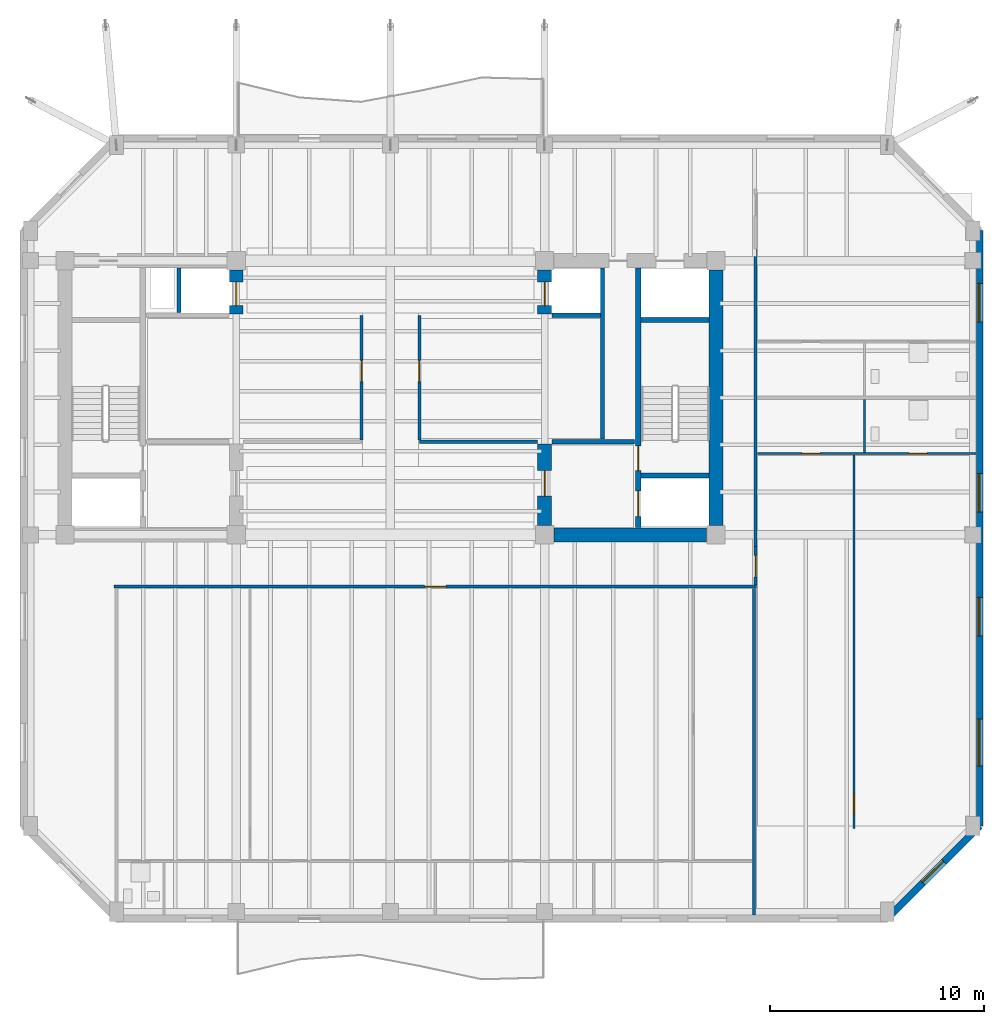
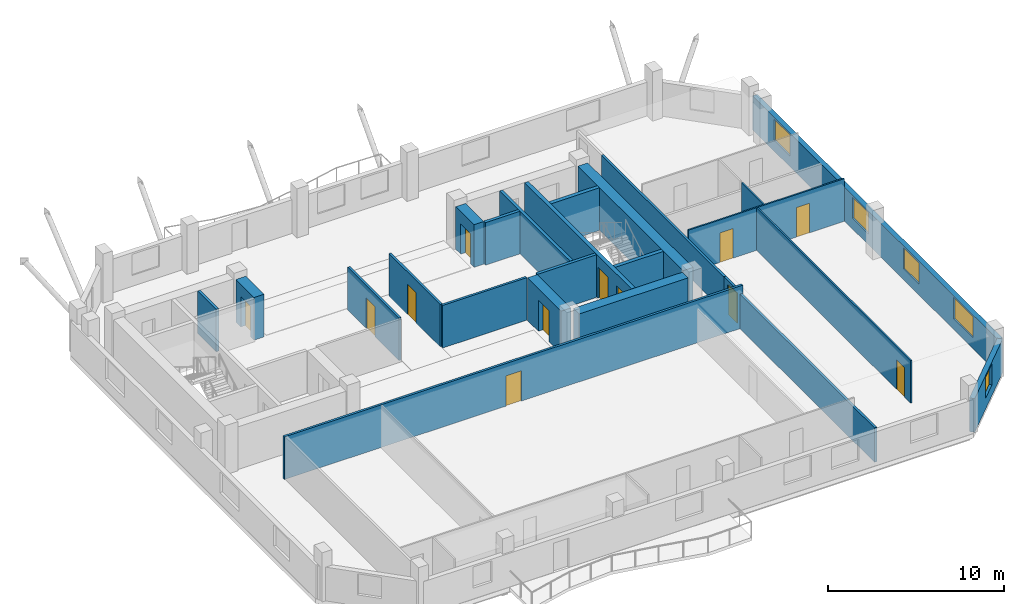
# One storey, part 6 of 11: 24 walls, 12 doors, 5 windows, 17 openings.
"""IFC4 building model written with IfcOpenShell, lengths in metres."""

from ifc_helpers import new_model, si_unit, direction, frame, frame_2d, origin, place, context, subcontext, project, spatial, rectangle, extrude, material, layer, layer_set, type_object, element, fill, save


model = new_model("IFC4")

# Units and contexts
model_context = context("Model", 3, precision=1e-05, world=origin(), true_north=direction((0.0, 1.0)))
body_context = subcontext(model_context, "Body", "Model", "MODEL_VIEW")
ifc_project = project(units=[si_unit("LENGTHUNIT", "METRE"), si_unit("AREAUNIT", "SQUARE_METRE"), si_unit("VOLUMEUNIT", "CUBIC_METRE"), si_unit("PLANEANGLEUNIT", "RADIAN"), si_unit("MASSUNIT", "GRAM", prefix="KILO")], contexts=[model_context])

# Site, building, storey
site_placement = place(None, origin())
site = spatial("IfcSite", under=ifc_project, at=site_placement, CompositionType="ELEMENT")
building_placement = place(site_placement, origin())
building = spatial("IfcBuilding", under=site, at=building_placement, Name="Kranthara Brick Stack", CompositionType="ELEMENT")
storey_placement = place(building_placement, frame((0.0, 0.0, 244.89990234375)))
storey = spatial("IfcBuildingStorey", under=building, at=storey_placement, Name="L64", CompositionType="ELEMENT", Elevation=244.89990234375)

# Wall, openings, windows
ifc_material_1 = material(Name="Warm buff clay brick masonry M15", Category="masonry")
ifc_layer_1 = layer(ifc_material_1, 0.320068359375)
ifc_layer_set_1 = layer_set([ifc_layer_1], Name="Warm buff clay brick masonry M15")
wall_type_1 = type_object("IfcWallType", Name="WL-BRK-UPPR-320", PredefinedType="STANDARD", material=ifc_layer_set_1)
wall_1_placement = place(storey_placement, frame((55.52001953125, 35.0, 0.0), z_axis=(0.0, 0.0, 1.0), x_axis=(0.0, -1.0, 0.0)))
wall_1 = element("IfcWall", 1, at=wall_1_placement, inside=storey, type_object=wall_type_1, Name="L64 Exterior Brick Facade Wall EAST 1", PredefinedType="STANDARD", context=body_context, shape_type="SweptSolid", body=[
    extrude(rectangle(XDim=27.800048828125, YDim=0.320068359375, at=frame_2d((13.89990234375, 0.0))), origin(), (0.0, 0.0, 1.0), 2.335205078125),
])
opening_1_placement = place(wall_1_placement, frame((2.4580078125, 0.0, 0.75)))
opening_1 = element("IfcOpeningElement", 2, at=opening_1_placement, cuts=wall_1, Name="Opening WN07", PredefinedType="OPENING", context=body_context, shape_type="SweptSolid", body=[
    extrude(rectangle(XDim=1.800048828125, YDim=1.465087890625, at=frame_2d((0.89990234375, 0.732421875))), frame((0.0, 0.169921875, 0.0), z_axis=(0.0, -1.0, 0.0), x_axis=(1.0, 0.0, 0.0)), (0.0, 0.0, 1.0), 0.340087890625),
])
opening_2_placement = place(wall_1_placement, frame((11.342041015625, 0.0, 0.75)))
opening_2 = element("IfcOpeningElement", 3, at=opening_2_placement, cuts=wall_1, Name="Opening WN07", PredefinedType="OPENING", context=body_context, shape_type="SweptSolid", body=[
    extrude(rectangle(XDim=1.800048828125, YDim=1.465087890625, at=frame_2d((0.89990234375, 0.732421875))), frame((0.0, 0.169921875, 0.0), z_axis=(0.0, -1.0, 0.0), x_axis=(1.0, 0.0, 0.0)), (0.0, 0.0, 1.0), 0.340087890625),
])
opening_3_placement = place(wall_1_placement, frame((17.116943359375, 0.0, 0.75)))
opening_3 = element("IfcOpeningElement", 4, at=opening_3_placement, cuts=wall_1, Name="Opening WN07", PredefinedType="OPENING", context=body_context, shape_type="SweptSolid", body=[
    extrude(rectangle(XDim=1.800048828125, YDim=1.465087890625, at=frame_2d((0.89990234375, 0.732421875))), frame((0.0, 0.169921875, 0.0), z_axis=(0.0, -1.0, 0.0), x_axis=(1.0, 0.0, 0.0)), (0.0, 0.0, 1.0), 0.340087890625),
])
opening_4_placement = place(wall_1_placement, frame((22.80810546875, 0.0, 0.75)))
opening_4 = element("IfcOpeningElement", 5, at=opening_4_placement, cuts=wall_1, Name="Opening WN08", PredefinedType="OPENING", context=body_context, shape_type="SweptSolid", body=[
    extrude(rectangle(XDim=2.199951171875, YDim=1.465087890625, at=frame_2d((1.10009765625, 0.732421875))), frame((0.0, 0.169921875, 0.0), z_axis=(0.0, -1.0, 0.0), x_axis=(1.0, 0.0, 0.0)), (0.0, 0.0, 1.0), 0.340087890625),
])
ifc_material_2 = material(Name="Double-glazed low-E solar control glass", Category="glass")
window_type_1 = type_object("IfcWindowType", Name="WN-RES-1800x1850", PartitioningType="DOUBLE_PANEL_VERTICAL", PredefinedType="WINDOW", material=ifc_material_2)
window_1_placement = place(opening_1_placement, origin())
window_1 = element("IfcWindow", 6, at=window_1_placement, inside=storey, type_object=window_type_1, Name="L64 East Deep-Set Brick Window 01", OverallHeight=1.465087890625, OverallWidth=1.800048828125, PartitioningType="SINGLE_PANEL", PredefinedType="WINDOW", context=body_context, shape_type="SweptSolid", body=[
    extrude(rectangle(XDim=1.800048828125, YDim=1.465087890625, at=frame_2d((0.89990234375, 0.732421875))), frame((0.0, -0.010009765625, 0.0), z_axis=(0.0, -1.0, 0.0), x_axis=(1.0, 0.0, 0.0)), (0.0, 0.0, 1.0), 0.06005859375),
])
fill(opening_1, window_1)
window_2_placement = place(opening_2_placement, origin())
window_2 = element("IfcWindow", 7, at=window_2_placement, inside=storey, type_object=window_type_1, Name="L64 East Deep-Set Brick Window 02", OverallHeight=1.465087890625, OverallWidth=1.800048828125, PartitioningType="SINGLE_PANEL", PredefinedType="WINDOW", context=body_context, shape_type="SweptSolid", body=[
    extrude(rectangle(XDim=1.800048828125, YDim=1.465087890625, at=frame_2d((0.89990234375, 0.732421875))), frame((0.0, -0.010009765625, 0.0), z_axis=(0.0, -1.0, 0.0), x_axis=(1.0, 0.0, 0.0)), (0.0, 0.0, 1.0), 0.06005859375),
])
fill(opening_2, window_2)
window_3_placement = place(opening_3_placement, origin())
window_3 = element("IfcWindow", 8, at=window_3_placement, inside=storey, type_object=window_type_1, Name="L64 East Deep-Set Brick Window 03", OverallHeight=1.465087890625, OverallWidth=1.800048828125, PartitioningType="SINGLE_PANEL", PredefinedType="WINDOW", context=body_context, shape_type="SweptSolid", body=[
    extrude(rectangle(XDim=1.800048828125, YDim=1.465087890625, at=frame_2d((0.89990234375, 0.732421875))), frame((0.0, -0.010009765625, 0.0), z_axis=(0.0, -1.0, 0.0), x_axis=(1.0, 0.0, 0.0)), (0.0, 0.0, 1.0), 0.06005859375),
])
fill(opening_3, window_3)
ifc_material_3 = material(Name="Double-glazed low-E solar control glass", Category="glass")
window_type_2 = type_object("IfcWindowType", Name="WN-RES-2200x1850", PartitioningType="TRIPLE_PANEL_VERTICAL", PredefinedType="WINDOW", material=ifc_material_3)
window_4_placement = place(opening_4_placement, origin())
window_4 = element("IfcWindow", 9, at=window_4_placement, inside=storey, type_object=window_type_2, Name="L64 East Deep-Set Brick Window 04", OverallHeight=1.465087890625, OverallWidth=2.199951171875, PartitioningType="SINGLE_PANEL", PredefinedType="WINDOW", context=body_context, shape_type="SweptSolid", body=[
    extrude(rectangle(XDim=2.199951171875, YDim=1.465087890625, at=frame_2d((1.10009765625, 0.732421875))), frame((0.0, -0.010009765625, 0.0), z_axis=(0.0, -1.0, 0.0), x_axis=(1.0, 0.0, 0.0)), (0.0, 0.0, 1.0), 0.06005859375),
])
fill(opening_4, window_4)

# Wall, opening, window
wall_2_placement = place(storey_placement, frame((55.52001953125, 7.199951171875, 0.0), z_axis=(0.0, 0.0, 1.0), x_axis=(-0.707106781187, -0.707106781187, 0.0)))
wall_2 = element("IfcWall", 10, at=wall_2_placement, inside=storey, type_object=wall_type_1, Name="L64 Exterior Brick Facade Wall SE 1", PredefinedType="STANDARD", context=body_context, shape_type="SweptSolid", body=[
    extrude(rectangle(XDim=6.109619140625, YDim=0.320068359375, at=frame_2d((3.0546875, 0.0))), origin(), (0.0, 0.0, 1.0), 2.335205078125),
])
opening_5_placement = place(wall_2_placement, frame((2.35498046875, 0.0, 0.75)))
opening_5 = element("IfcOpeningElement", 11, at=opening_5_placement, cuts=wall_2, Name="Opening WN10", PredefinedType="OPENING", context=body_context, shape_type="SweptSolid", body=[
    extrude(rectangle(XDim=1.39990234375, YDim=1.465087890625, at=frame_2d((0.699951171875, 0.732421875))), frame((0.0, 0.169921875, 0.0), z_axis=(0.0, -1.0, 0.0), x_axis=(1.0, 0.0, 0.0)), (0.0, 0.0, 1.0), 0.340087890625),
])
ifc_material_4 = material(Name="Double-glazed low-E solar control glass", Category="glass")
window_type_3 = type_object("IfcWindowType", Name="WN-CHM-1400x1750", PartitioningType="SINGLE_PANEL", PredefinedType="WINDOW", material=ifc_material_4)
window_5_placement = place(opening_5_placement, origin())
window_5 = element("IfcWindow", 12, at=window_5_placement, inside=storey, type_object=window_type_3, Name="L64 SE Chamfer Corner Window", OverallHeight=1.465087890625, OverallWidth=1.39990234375, PartitioningType="SINGLE_PANEL", PredefinedType="WINDOW", context=body_context, shape_type="SweptSolid", body=[
    extrude(rectangle(XDim=1.39990234375, YDim=1.465087890625, at=frame_2d((0.699951171875, 0.732421875))), frame((0.0, -0.010009765625, 0.0), z_axis=(0.0, -1.0, 0.0), x_axis=(1.0, 0.0, 0.0)), (0.0, 0.0, 1.0), 0.06005859375),
])
fill(opening_5, window_5)

# Wall, openings, doors
ifc_material_5 = material(Name="Concrete C50/60", Category="concrete")
ifc_layer_2 = layer(ifc_material_5, 0.25)
ifc_layer_set_2 = layer_set([ifc_layer_2], Name="Concrete C50/60")
wall_type_2 = type_object("IfcWallType", Name="WL-CORE-250", PredefinedType="SHEAR", material=ifc_layer_set_2)
wall_3_placement = place(storey_placement, frame((39.56494140625, 21.135009765625, 0.0), z_axis=(0.0, 0.0, 1.0), x_axis=(0.0, 1.0, 0.0)))
wall_3 = element("IfcWall", 13, at=wall_3_placement, inside=storey, type_object=wall_type_2, Name="L64 East Core Stair Bearing Spine Wall", PredefinedType="SHEAR", context=body_context, shape_type="SweptSolid", body=[
    extrude(rectangle(XDim=12.1298828125, YDim=0.25, at=frame_2d((6.06494140625, 0.0))), origin(), (0.0, 0.0, 1.0), 2.9501953125),
])
opening_6_placement = place(wall_3_placement, frame((0.514892578125, 0.0, 0.0)))
opening_6 = element("IfcOpeningElement", 14, at=opening_6_placement, cuts=wall_3, Name="Opening LD01", PredefinedType="OPENING", context=body_context, shape_type="SweptSolid", body=[
    extrude(rectangle(XDim=1.199951171875, YDim=2.14990234375, at=frame_2d((0.60009765625, 1.074951171875))), frame((0.0, 0.135009765625, 0.0), z_axis=(0.0, -1.0, 0.0), x_axis=(1.0, 0.0, 0.0)), (0.0, 0.0, 1.0), 0.27001953125),
])
opening_7_placement = place(wall_3_placement, frame((2.6650390625, 0.0, 0.0)))
opening_7 = element("IfcOpeningElement", 15, at=opening_7_placement, cuts=wall_3, Name="Opening D05", PredefinedType="OPENING", context=body_context, shape_type="SweptSolid", body=[
    extrude(rectangle(XDim=1.14990234375, YDim=2.14990234375, at=frame_2d((0.574951171875, 1.074951171875))), frame((0.0, 0.135009765625, 0.0), z_axis=(0.0, -1.0, 0.0), x_axis=(1.0, 0.0, 0.0)), (0.0, 0.0, 1.0), 0.27001953125),
])
ifc_material_6 = material(Name="Stainless steel sliding landing door", Category="steel")
door_type_1 = type_object("IfcDoorType", Name="DR-LD-FF1200", OperationType="DOUBLE_DOOR_SLIDING", PredefinedType="DOOR", material=ifc_material_6)
door_1_placement = place(opening_6_placement, origin())
door_1 = element("IfcDoor", 16, at=door_1_placement, inside=storey, type_object=door_type_1, Name="L64 Firefighting Lift FF-02 Landing Door", OperationType="DOUBLE_DOOR_SLIDING", OverallHeight=2.14990234375, OverallWidth=1.199951171875, PredefinedType="DOOR", context=body_context, shape_type="SweptSolid", body=[
    extrude(rectangle(XDim=1.199951171875, YDim=2.14990234375, at=frame_2d((0.60009765625, 1.074951171875))), frame((0.0, 0.02490234375, 0.0), z_axis=(0.0, -1.0, 0.0), x_axis=(1.0, 0.0, 0.0)), (0.0, 0.0, 1.0), 0.050048828125),
])
fill(opening_6, door_1)
ifc_material_7 = material(Name="Solid-core hardwood timber leaf in steel frame", Category="steel")
door_type_2 = type_object("IfcDoorType", Name="DR-ST-1150", OperationType="NOTDEFINED", PredefinedType="DOOR", material=ifc_material_7)
door_2_placement = place(opening_7_placement, origin())
door_2 = element("IfcDoor", 17, at=door_2_placement, inside=storey, type_object=door_type_2, Name="L64 Exit Stair ST02 Door", OperationType="SINGLE_SWING_LEFT", OverallHeight=2.14990234375, OverallWidth=1.14990234375, PredefinedType="DOOR", context=body_context, shape_type="SweptSolid", body=[
    extrude(rectangle(XDim=1.14990234375, YDim=2.14990234375, at=frame_2d((0.574951171875, 1.074951171875))), frame((0.0, 0.02490234375, 0.0), z_axis=(0.0, -1.0, 0.0), x_axis=(1.0, 0.0, 0.0)), (0.0, 0.0, 1.0), 0.050048828125),
])
fill(opening_7, door_2)

# Walls
for number, where, z_axis, x_axis, name in (
    (18, (39.68994140625, 23.570068359375, 0.0), (0.0, 0.0, 1.0), (1.0, 0.0, 0.0), "L64 East Stairwell Bearing Wall EFF"),
    (19, (39.68994140625, 30.830078125, 0.0), (0.0, 0.0, 1.0), (1.0, 0.0, 0.0), "L64 East Stairwell Bearing Wall EST"),
):
    element("IfcWall", number, at=place(storey_placement, frame(where, z_axis=z_axis, x_axis=x_axis)), inside=storey, type_object=wall_type_2, Name=name, PredefinedType="SHEAR", context=body_context, shape_type="SweptSolid", body=[
        extrude(rectangle(XDim=3.175048828125, YDim=0.25, at=frame_2d((1.58740234375, 0.0))), origin(), (0.0, 0.0, 1.0), 2.9501953125),
    ])

# Wall, opening, door
ifc_material_8 = material(Name="Concrete C60/75", Category="concrete")
ifc_layer_3 = layer(ifc_material_8, 0.64990234375)
ifc_layer_set_3 = layer_set([ifc_layer_3], Name="Concrete C60/75")
wall_type_3 = type_object("IfcWallType", Name="WL-CORE-650", PredefinedType="SHEAR", material=ifc_layer_set_3)
wall_4_placement = place(storey_placement, frame((20.800048828125, 31.10009765625, 0.0), z_axis=(0.0, 0.0, 1.0), x_axis=(0.0, 1.0, 0.0)))
wall_4 = element("IfcWall", 20, at=wall_4_placement, inside=storey, type_object=wall_type_3, Name="L64 West Core High-Rise Lift Wall", PredefinedType="SHEAR", context=body_context, shape_type="SweptSolid", body=[
    extrude(rectangle(XDim=2.06982421875, YDim=0.64990234375, at=frame_2d((1.034912109375, 0.0))), origin(), (0.0, 0.0, 1.0), 2.9501953125),
])
opening_8_placement = place(wall_4_placement, frame((0.39990234375, 0.0, 0.0)))
opening_8 = element("IfcOpeningElement", 21, at=opening_8_placement, cuts=wall_4, Name="Opening LD02", PredefinedType="OPENING", context=body_context, shape_type="SweptSolid", body=[
    extrude(rectangle(XDim=1.10009765625, YDim=2.10009765625, at=frame_2d((0.550048828125, 1.050048828125))), frame((0.0, 0.3349609375, 0.0), z_axis=(0.0, -1.0, 0.0), x_axis=(1.0, 0.0, 0.0)), (0.0, 0.0, 1.0), 0.669921875),
])
ifc_material_9 = material(Name="Stainless steel sliding landing door", Category="steel")
door_type_3 = type_object("IfcDoorType", Name="DR-LD-PL1100", OperationType="DOUBLE_DOOR_SLIDING", PredefinedType="DOOR", material=ifc_material_9)
door_3_placement = place(opening_8_placement, origin())
door_3 = element("IfcDoor", 22, at=door_3_placement, inside=storey, type_object=door_type_3, Name="L64 PL-07 Lift Landing Door", OperationType="DOUBLE_DOOR_SLIDING", OverallHeight=2.10009765625, OverallWidth=1.10009765625, PredefinedType="DOOR", context=body_context, shape_type="SweptSolid", body=[
    extrude(rectangle(XDim=1.10009765625, YDim=2.10009765625, at=frame_2d((0.550048828125, 1.050048828125))), frame((0.0, 0.02490234375, 0.0), z_axis=(0.0, -1.0, 0.0), x_axis=(1.0, 0.0, 0.0)), (0.0, 0.0, 1.0), 0.050048828125),
])
fill(opening_8, door_3)

# Walls
wall_5_placement = place(storey_placement, frame((43.199951171875, 21.22998046875, 0.0), z_axis=(0.0, 0.0, 1.0), x_axis=(0.0, 1.0, 0.0)))
element("IfcWall", 23, at=wall_5_placement, inside=storey, type_object=wall_type_3, Name="L64 East Core Shear Wall East", PredefinedType="SHEAR", context=body_context, shape_type="SweptSolid", body=[
    extrude(rectangle(XDim=11.93994140625, YDim=0.64990234375, at=frame_2d((5.969970703125, 0.0))), origin(), (0.0, 0.0, 1.0), 2.9501953125),
])
wall_6_placement = place(storey_placement, frame((35.6298828125, 20.800048828125, 0.0), z_axis=(0.0, 0.0, 1.0), x_axis=(1.0, 0.0, 0.0)))
element("IfcWall", 24, at=wall_6_placement, inside=storey, type_object=wall_type_3, Name="L64 East Core Shear Wall South", PredefinedType="SHEAR", context=body_context, shape_type="SweptSolid", body=[
    extrude(rectangle(XDim=7.14013671875, YDim=0.64990234375, at=frame_2d((3.570068359375, 0.0))), origin(), (0.0, 0.0, 1.0), 2.9501953125),
])

# Wall, opening, door
wall_7_placement = place(storey_placement, frame((35.199951171875, 21.22998046875, 0.0), z_axis=(0.0, 0.0, 1.0), x_axis=(0.0, 1.0, 0.0)))
wall_7 = element("IfcWall", 25, at=wall_7_placement, inside=storey, type_object=wall_type_3, Name="L64 East Core Lobby Shear Wall", PredefinedType="SHEAR", context=body_context, shape_type="SweptSolid", body=[
    extrude(rectangle(XDim=3.820068359375, YDim=0.64990234375, at=frame_2d((1.91015625, 0.0))), origin(), (0.0, 0.0, 1.0), 2.9501953125),
])
opening_9_placement = place(wall_7_placement, frame((1.3701171875, 0.0, 0.0)))
opening_9 = element("IfcOpeningElement", 26, at=opening_9_placement, cuts=wall_7, Name="Opening D06", PredefinedType="OPENING", context=body_context, shape_type="SweptSolid", body=[
    extrude(rectangle(XDim=1.199951171875, YDim=2.14990234375, at=frame_2d((0.60009765625, 1.074951171875))), frame((0.0, 0.3349609375, 0.0), z_axis=(0.0, -1.0, 0.0), x_axis=(1.0, 0.0, 0.0)), (0.0, 0.0, 1.0), 0.669921875),
])
ifc_material_10 = material(Name="Solid-core hardwood timber leaf in steel frame", Category="steel")
door_type_4 = type_object("IfcDoorType", Name="DR-FFL-1200", OperationType="NOTDEFINED", PredefinedType="DOOR", material=ifc_material_10)
door_4_placement = place(opening_9_placement, origin())
door_4 = element("IfcDoor", 27, at=door_4_placement, inside=storey, type_object=door_type_4, Name="L64 East Firefighting Lobby Door", OperationType="SINGLE_SWING_RIGHT", OverallHeight=2.14990234375, OverallWidth=1.199951171875, PredefinedType="DOOR", context=body_context, shape_type="SweptSolid", body=[
    extrude(rectangle(XDim=1.199951171875, YDim=2.14990234375, at=frame_2d((0.60009765625, 1.074951171875))), frame((0.0, 0.02490234375, 0.0), z_axis=(0.0, -1.0, 0.0), x_axis=(1.0, 0.0, 0.0)), (0.0, 0.0, 1.0), 0.050048828125),
])
fill(opening_9, door_4)

wall_8_placement = place(storey_placement, frame((35.199951171875, 31.10009765625, 0.0), z_axis=(0.0, 0.0, 1.0), x_axis=(0.0, 1.0, 0.0)))
wall_8 = element("IfcWall", 28, at=wall_8_placement, inside=storey, type_object=wall_type_3, Name="L64 East Core High-Rise Lift Wall", PredefinedType="SHEAR", context=body_context, shape_type="SweptSolid", body=[
    extrude(rectangle(XDim=2.06982421875, YDim=0.64990234375, at=frame_2d((1.034912109375, 0.0))), origin(), (0.0, 0.0, 1.0), 2.9501953125),
])
opening_10_placement = place(wall_8_placement, frame((0.39990234375, 0.0, 0.0)))
opening_10 = element("IfcOpeningElement", 29, at=opening_10_placement, cuts=wall_8, Name="Opening LD02", PredefinedType="OPENING", context=body_context, shape_type="SweptSolid", body=[
    extrude(rectangle(XDim=1.10009765625, YDim=2.10009765625, at=frame_2d((0.550048828125, 1.050048828125))), frame((0.0, 0.3349609375, 0.0), z_axis=(0.0, -1.0, 0.0), x_axis=(1.0, 0.0, 0.0)), (0.0, 0.0, 1.0), 0.669921875),
])
door_5_placement = place(opening_10_placement, origin())
door_5 = element("IfcDoor", 30, at=door_5_placement, inside=storey, type_object=door_type_3, Name="L64 PL-08 Lift Landing Door", OperationType="DOUBLE_DOOR_SLIDING", OverallHeight=2.10009765625, OverallWidth=1.10009765625, PredefinedType="DOOR", context=body_context, shape_type="SweptSolid", body=[
    extrude(rectangle(XDim=1.10009765625, YDim=2.10009765625, at=frame_2d((0.550048828125, 1.050048828125))), frame((0.0, 0.02490234375, 0.0), z_axis=(0.0, -1.0, 0.0), x_axis=(1.0, 0.0, 0.0)), (0.0, 0.0, 1.0), 0.050048828125),
])
fill(opening_10, door_5)

# Wall, openings, doors
ifc_material_11 = material(Name="Moisture-resistant wet-room partition", Category="other")
ifc_layer_4 = layer(ifc_material_11, 0.10009765625)
ifc_layer_set_4 = layer_set([ifc_layer_4], Name="Moisture-resistant wet-room partition")
wall_type_4 = type_object("IfcWallType", Name="WL-PART-100", PredefinedType="PARTITIONING", material=ifc_layer_set_4)
wall_9_placement = place(storey_placement, frame((45.1298828125, 24.590087890625, 0.0), z_axis=(0.0, 0.0, 1.0), x_axis=(1.0, 0.0, 0.0)))
wall_9 = element("IfcWall", 31, at=wall_9_placement, inside=storey, type_object=wall_type_4, Name="L64 Interior Partition 020", PredefinedType="PARTITIONING", context=body_context, shape_type="SweptSolid", body=[
    extrude(rectangle(XDim=10.22509765625, YDim=0.10009765625, at=frame_2d((5.112548828125, 0.0))), origin(), (0.0, 0.0, 1.0), 2.9501953125),
])
opening_11_placement = place(wall_9_placement, frame((2.0830078125, 0.0, 0.0)))
opening_11 = element("IfcOpeningElement", 32, at=opening_11_placement, cuts=wall_9, Name="Opening D16", PredefinedType="OPENING", context=body_context, shape_type="SweptSolid", body=[
    extrude(rectangle(XDim=0.85009765625, YDim=2.050048828125, at=frame_2d((0.425048828125, 1.02490234375))), frame((0.0, 0.06005859375, 0.0), z_axis=(0.0, -1.0, 0.0), x_axis=(1.0, 0.0, 0.0)), (0.0, 0.0, 1.0), 0.1201171875),
])
opening_12_placement = place(wall_9_placement, frame((7.077880859375, 0.0, 0.0)))
opening_12 = element("IfcOpeningElement", 33, at=opening_12_placement, cuts=wall_9, Name="Opening D17", PredefinedType="OPENING", context=body_context, shape_type="SweptSolid", body=[
    extrude(rectangle(XDim=0.85009765625, YDim=2.050048828125, at=frame_2d((0.425048828125, 1.02490234375))), frame((0.0, 0.06005859375, 0.0), z_axis=(0.0, -1.0, 0.0), x_axis=(1.0, 0.0, 0.0)), (0.0, 0.0, 1.0), 0.1201171875),
])
ifc_material_12 = material(Name="Solid-core hardwood timber leaf in steel frame", Category="steel")
door_type_5 = type_object("IfcDoorType", Name="DR-INT-850", OperationType="NOTDEFINED", PredefinedType="DOOR", material=ifc_material_12)
door_6_placement = place(opening_11_placement, origin())
door_6 = element("IfcDoor", 34, at=door_6_placement, inside=storey, type_object=door_type_5, Name="L64 Unit L64B Kitchen 12", OperationType="SINGLE_SWING_RIGHT", OverallHeight=2.050048828125, OverallWidth=0.85009765625, PredefinedType="DOOR", context=body_context, shape_type="SweptSolid", body=[
    extrude(rectangle(XDim=0.85009765625, YDim=2.050048828125, at=frame_2d((0.425048828125, 1.02490234375))), frame((0.0, 0.02490234375, 0.0), z_axis=(0.0, -1.0, 0.0), x_axis=(1.0, 0.0, 0.0)), (0.0, 0.0, 1.0), 0.050048828125),
])
fill(opening_11, door_6)
ifc_material_13 = material(Name="Solid-core hardwood timber leaf in steel frame", Category="steel")
door_type_6 = type_object("IfcDoorType", Name="DR-WET-850", OperationType="NOTDEFINED", PredefinedType="DOOR", material=ifc_material_13)
door_7_placement = place(opening_12_placement, origin())
door_7 = element("IfcDoor", 35, at=door_7_placement, inside=storey, type_object=door_type_6, Name="L64 Unit L64B Bathroom 13", OperationType="SINGLE_SWING_LEFT", OverallHeight=2.050048828125, OverallWidth=0.85009765625, PredefinedType="DOOR", context=body_context, shape_type="SweptSolid", body=[
    extrude(rectangle(XDim=0.85009765625, YDim=2.050048828125, at=frame_2d((0.425048828125, 1.02490234375))), frame((0.0, 0.02490234375, 0.0), z_axis=(0.0, -1.0, 0.0), x_axis=(1.0, 0.0, 0.0)), (0.0, 0.0, 1.0), 0.050048828125),
])
fill(opening_12, door_7)

# Wall, opening, door
wall_10_placement = place(storey_placement, frame((49.64599609375, 7.080078125, 0.0), z_axis=(0.0, 0.0, 1.0), x_axis=(0.0, 1.0, 0.0)))
wall_10 = element("IfcWall", 36, at=wall_10_placement, inside=storey, type_object=wall_type_4, Name="L64 Interior Partition 021", PredefinedType="PARTITIONING", context=body_context, shape_type="SweptSolid", body=[
    extrude(rectangle(XDim=17.454833984375, YDim=0.10009765625, at=frame_2d((8.7275390625, 0.0))), origin(), (0.0, 0.0, 1.0), 2.9501953125),
])
opening_13_placement = place(wall_10_placement, frame((0.699951171875, 0.0, 0.0)))
opening_13 = element("IfcOpeningElement", 37, at=opening_13_placement, cuts=wall_10, Name="Opening D15", PredefinedType="OPENING", context=body_context, shape_type="SweptSolid", body=[
    extrude(rectangle(XDim=0.89990234375, YDim=2.050048828125, at=frame_2d((0.449951171875, 1.02490234375))), frame((0.0, 0.06005859375, 0.0), z_axis=(0.0, -1.0, 0.0), x_axis=(1.0, 0.0, 0.0)), (0.0, 0.0, 1.0), 0.1201171875),
])
ifc_material_14 = material(Name="Solid-core hardwood timber leaf in steel frame", Category="steel")
door_type_7 = type_object("IfcDoorType", Name="DR-INT-900", OperationType="NOTDEFINED", PredefinedType="DOOR", material=ifc_material_14)
door_8_placement = place(opening_13_placement, origin())
door_8 = element("IfcDoor", 38, at=door_8_placement, inside=storey, type_object=door_type_7, Name="L64 Unit L64B Study 11", OperationType="SINGLE_SWING_LEFT", OverallHeight=2.050048828125, OverallWidth=0.89990234375, PredefinedType="DOOR", context=body_context, shape_type="SweptSolid", body=[
    extrude(rectangle(XDim=0.89990234375, YDim=2.050048828125, at=frame_2d((0.449951171875, 1.02490234375))), frame((0.0, 0.02490234375, 0.0), z_axis=(0.0, -1.0, 0.0), x_axis=(1.0, 0.0, 0.0)), (0.0, 0.0, 1.0), 0.050048828125),
])
fill(opening_13, door_8)

# Walls
wall_11_placement = place(storey_placement, frame((50.135009765625, 24.64501953125, 0.0), z_axis=(0.0, 0.0, 1.0), x_axis=(0.0, 1.0, 0.0)))
element("IfcWall", 39, at=wall_11_placement, inside=storey, type_object=wall_type_4, Name="L64 Interior Partition 022", PredefinedType="PARTITIONING", context=body_context, shape_type="SweptSolid", body=[
    extrude(rectangle(XDim=2.47509765625, YDim=0.10009765625, at=frame_2d((1.237548828125, 0.0))), origin(), (0.0, 0.0, 1.0), 2.9501953125),
])
ifc_material_15 = material(Name="Fire-rated gypsum board partition", Category="other")
ifc_layer_5 = layer(ifc_material_15, 0.14990234375)
ifc_layer_set_5 = layer_set([ifc_layer_5], Name="Fire-rated gypsum board partition")
wall_type_5 = type_object("IfcWallType", Name="WL-PART-150", PredefinedType="PARTITIONING", material=ifc_layer_set_5)
wall_12_placement = place(storey_placement, frame((29.35009765625, 25.14990234375, 0.0), z_axis=(0.0, 0.0, 1.0), x_axis=(1.0, 0.0, 0.0)))
element("IfcWall", 40, at=wall_12_placement, inside=storey, type_object=wall_type_5, Name="L64 Interior Partition 002", PredefinedType="PARTITIONING", context=body_context, shape_type="SweptSolid", body=[
    extrude(rectangle(XDim=5.52001953125, YDim=0.14990234375, at=frame_2d((2.760009765625, 0.0))), origin(), (0.0, 0.0, 1.0), 2.9501953125),
])

# Wall, opening, door
wall_13_placement = place(storey_placement, frame((26.64990234375, 25.22998046875, 0.0), z_axis=(0.0, 0.0, 1.0), x_axis=(0.0, 1.0, 0.0)))
wall_13 = element("IfcWall", 41, at=wall_13_placement, inside=storey, type_object=wall_type_5, Name="L64 Interior Partition 003", PredefinedType="PARTITIONING", context=body_context, shape_type="SweptSolid", body=[
    extrude(rectangle(XDim=5.820068359375, YDim=0.14990234375, at=frame_2d((2.91015625, 0.0))), origin(), (0.0, 0.0, 1.0), 2.9501953125),
])
opening_14_placement = place(wall_13_placement, frame((2.719970703125, 0.0, 0.0)))
opening_14 = element("IfcOpeningElement", 42, at=opening_14_placement, cuts=wall_13, Name="Opening D08", PredefinedType="OPENING", context=body_context, shape_type="SweptSolid", body=[
    extrude(rectangle(XDim=1.0, YDim=2.10009765625, at=frame_2d((0.5, 1.050048828125))), frame((0.0, 0.0849609375, 0.0), z_axis=(0.0, -1.0, 0.0), x_axis=(1.0, 0.0, 0.0)), (0.0, 0.0, 1.0), 0.169921875),
])
ifc_material_16 = material(Name="Solid-core hardwood timber leaf in steel frame", Category="steel")
door_type_8 = type_object("IfcDoorType", Name="DR-FD-1000", OperationType="NOTDEFINED", PredefinedType="DOOR", material=ifc_material_16)
door_9_placement = place(opening_14_placement, origin())
door_9 = element("IfcDoor", 43, at=door_9_placement, inside=storey, type_object=door_type_8, Name="L64 Residents Study Salon 01", OperationType="SINGLE_SWING_LEFT", OverallHeight=2.10009765625, OverallWidth=1.0, PredefinedType="DOOR", context=body_context, shape_type="SweptSolid", body=[
    extrude(rectangle(XDim=1.0, YDim=2.10009765625, at=frame_2d((0.5, 1.050048828125))), frame((0.0, 0.02490234375, 0.0), z_axis=(0.0, -1.0, 0.0), x_axis=(1.0, 0.0, 0.0)), (0.0, 0.0, 1.0), 0.050048828125),
])
fill(opening_14, door_9)

wall_14_placement = place(storey_placement, frame((29.35009765625, 25.22998046875, 0.0), z_axis=(0.0, 0.0, 1.0), x_axis=(0.0, 1.0, 0.0)))
wall_14 = element("IfcWall", 44, at=wall_14_placement, inside=storey, type_object=wall_type_5, Name="L64 Interior Partition 004", PredefinedType="PARTITIONING", context=body_context, shape_type="SweptSolid", body=[
    extrude(rectangle(XDim=5.820068359375, YDim=0.14990234375, at=frame_2d((2.91015625, 0.0))), origin(), (0.0, 0.0, 1.0), 2.9501953125),
])
opening_15_placement = place(wall_14_placement, frame((2.719970703125, 0.0, 0.0)))
opening_15 = element("IfcOpeningElement", 45, at=opening_15_placement, cuts=wall_14, Name="Opening D08", PredefinedType="OPENING", context=body_context, shape_type="SweptSolid", body=[
    extrude(rectangle(XDim=1.0, YDim=2.10009765625, at=frame_2d((0.5, 1.050048828125))), frame((0.0, 0.0849609375, 0.0), z_axis=(0.0, -1.0, 0.0), x_axis=(1.0, 0.0, 0.0)), (0.0, 0.0, 1.0), 0.169921875),
])
door_10_placement = place(opening_15_placement, origin())
door_10 = element("IfcDoor", 46, at=door_10_placement, inside=storey, type_object=door_type_8, Name="L64 Private Dining Lounge 02", OperationType="SINGLE_SWING_RIGHT", OverallHeight=2.10009765625, OverallWidth=1.0, PredefinedType="DOOR", context=body_context, shape_type="SweptSolid", body=[
    extrude(rectangle(XDim=1.0, YDim=2.10009765625, at=frame_2d((0.5, 1.050048828125))), frame((0.0, 0.02490234375, 0.0), z_axis=(0.0, -1.0, 0.0), x_axis=(1.0, 0.0, 0.0)), (0.0, 0.0, 1.0), 0.050048828125),
])
fill(opening_15, door_10)

wall_15_placement = place(storey_placement, frame((15.080078125, 18.3798828125, 0.0), z_axis=(0.0, 0.0, 1.0), x_axis=(1.0, 0.0, 0.0)))
wall_15 = element("IfcWall", 47, at=wall_15_placement, inside=storey, type_object=wall_type_5, Name="L64 Interior Partition 005", PredefinedType="PARTITIONING", context=body_context, shape_type="SweptSolid", body=[
    extrude(rectangle(XDim=30.02001953125, YDim=0.14990234375, at=frame_2d((15.010009765625, 0.0))), origin(), (0.0, 0.0, 1.0), 2.9501953125),
])
opening_16_placement = place(wall_15_placement, frame((14.510009765625, 0.0, 0.0)))
opening_16 = element("IfcOpeningElement", 48, at=opening_16_placement, cuts=wall_15, Name="Opening D08", PredefinedType="OPENING", context=body_context, shape_type="SweptSolid", body=[
    extrude(rectangle(XDim=1.0, YDim=2.10009765625, at=frame_2d((0.5, 1.050048828125))), frame((0.0, 0.0849609375, 0.0), z_axis=(0.0, -1.0, 0.0), x_axis=(1.0, 0.0, 0.0)), (0.0, 0.0, 1.0), 0.169921875),
])
door_11_placement = place(opening_16_placement, origin())
door_11 = element("IfcDoor", 49, at=door_11_placement, inside=storey, type_object=door_type_8, Name="L64 Unit L64A Entrance 03", OperationType="SINGLE_SWING_LEFT", OverallHeight=2.10009765625, OverallWidth=1.0, PredefinedType="DOOR", context=body_context, shape_type="SweptSolid", body=[
    extrude(rectangle(XDim=1.0, YDim=2.10009765625, at=frame_2d((0.5, 1.050048828125))), frame((0.0, 0.02490234375, 0.0), z_axis=(0.0, -1.0, 0.0), x_axis=(1.0, 0.0, 0.0)), (0.0, 0.0, 1.0), 0.050048828125),
])
fill(opening_16, door_11)

# Wall
wall_16_placement = place(storey_placement, frame((44.97998046875, 3.044921875, 0.0), z_axis=(0.0, 0.0, 1.0), x_axis=(0.0, 1.0, 0.0)))
element("IfcWall", 50, at=wall_16_placement, inside=storey, type_object=wall_type_5, Name="L64 Interior Partition 013", PredefinedType="PARTITIONING", context=body_context, shape_type="SweptSolid", body=[
    extrude(rectangle(XDim=15.255126953125, YDim=0.14990234375, at=frame_2d((7.62744140625, 0.0))), origin(), (0.0, 0.0, 1.0), 2.385009765625),
])

# Wall, opening, door
wall_17_placement = place(storey_placement, frame((45.050048828125, 18.4599609375, 0.0), z_axis=(0.0, 0.0, 1.0), x_axis=(0.0, 1.0, 0.0)))
wall_17 = element("IfcWall", 51, at=wall_17_placement, inside=storey, type_object=wall_type_5, Name="L64 Interior Partition 015", PredefinedType="PARTITIONING", context=body_context, shape_type="SweptSolid", body=[
    extrude(rectangle(XDim=1.7900390625, YDim=0.14990234375, at=frame_2d((0.89501953125, 0.0))), origin(), (0.0, 0.0, 1.0), 2.385009765625),
])
opening_17_placement = place(wall_17_placement, frame((0.375, 0.0, 0.0)))
opening_17 = element("IfcOpeningElement", 52, at=opening_17_placement, cuts=wall_17, Name="Opening D08", PredefinedType="OPENING", context=body_context, shape_type="SweptSolid", body=[
    extrude(rectangle(XDim=1.0, YDim=2.10009765625, at=frame_2d((0.5, 1.050048828125))), frame((0.0, 0.0849609375, 0.0), z_axis=(0.0, -1.0, 0.0), x_axis=(1.0, 0.0, 0.0)), (0.0, 0.0, 1.0), 0.169921875),
])
door_12_placement = place(opening_17_placement, origin())
door_12 = element("IfcDoor", 53, at=door_12_placement, inside=storey, type_object=door_type_8, Name="L64 Unit L64B Entrance 10", OperationType="SINGLE_SWING_RIGHT", OverallHeight=2.10009765625, OverallWidth=1.0, PredefinedType="DOOR", context=body_context, shape_type="SweptSolid", body=[
    extrude(rectangle(XDim=1.0, YDim=2.10009765625, at=frame_2d((0.5, 1.050048828125))), frame((0.0, 0.02490234375, 0.0), z_axis=(0.0, -1.0, 0.0), x_axis=(1.0, 0.0, 0.0)), (0.0, 0.0, 1.0), 0.050048828125),
])
fill(opening_17, door_12)

# Walls
wall_18_placement = place(storey_placement, frame((45.050048828125, 20.25, 0.0), z_axis=(0.0, 0.0, 1.0), x_axis=(0.0, 1.0, 0.0)))
element("IfcWall", 54, at=wall_18_placement, inside=storey, type_object=wall_type_5, Name="L64 Interior Partition 016", PredefinedType="PARTITIONING", context=body_context, shape_type="SweptSolid", body=[
    extrude(rectangle(XDim=13.89990234375, YDim=0.14990234375, at=frame_2d((6.949951171875, 0.0))), origin(), (0.0, 0.0, 1.0), 2.385009765625),
])
ifc_material_17 = material(Name="Gypsum plasterboard on acoustic twin stud", Category="other")
ifc_layer_6 = layer(ifc_material_17, 0.179931640625)
ifc_layer_set_6 = layer_set([ifc_layer_6], Name="Gypsum plasterboard on acoustic twin stud")
wall_type_6 = type_object("IfcWallType", Name="WL-PART-180", PredefinedType="PARTITIONING", material=ifc_layer_set_6)
wall_19_placement = place(storey_placement, frame((18.1201171875, 31.169921875, 0.0), z_axis=(0.0, 0.0, 1.0), x_axis=(0.0, 1.0, 0.0)))
element("IfcWall", 55, at=wall_19_placement, inside=storey, type_object=wall_type_6, Name="L64 PL-07 Shaft Back Wall", PredefinedType="PARTITIONING", context=body_context, shape_type="SweptSolid", body=[
    extrude(rectangle(XDim=2.094970703125, YDim=0.179931640625, at=frame_2d((1.04736328125, 0.0))), origin(), (0.0, 0.0, 1.0), 2.9501953125),
])
ifc_material_18 = material(Name="Concrete C40/50", Category="concrete")
ifc_layer_7 = layer(ifc_material_18, 0.199951171875)
ifc_layer_set_7 = layer_set([ifc_layer_7], Name="Concrete C40/50")
wall_type_7 = type_object("IfcWallType", Name="WL-PART-200", PredefinedType="SOLIDWALL", material=ifc_layer_set_7)
wall_20_placement = place(storey_placement, frame((35.550048828125, 25.14990234375, 0.0), z_axis=(0.0, 0.0, 1.0), x_axis=(1.0, 0.0, 0.0)))
element("IfcWall", 56, at=wall_20_placement, inside=storey, type_object=wall_type_7, Name="L64 East Core Cross Wall EFL", PredefinedType="SOLIDWALL", context=body_context, shape_type="SweptSolid", body=[
    extrude(rectangle(XDim=3.849853515625, YDim=0.199951171875, at=frame_2d((1.9248046875, 0.0))), origin(), (0.0, 0.0, 1.0), 2.9501953125),
])
wall_21_placement = place(storey_placement, frame((35.550048828125, 31.050048828125, 0.0), z_axis=(0.0, 0.0, 1.0), x_axis=(1.0, 0.0, 0.0)))
element("IfcWall", 57, at=wall_21_placement, inside=storey, type_object=wall_type_7, Name="L64 East Core Cross Wall EE4", PredefinedType="SOLIDWALL", context=body_context, shape_type="SweptSolid", body=[
    extrude(rectangle(XDim=2.25, YDim=0.199951171875, at=frame_2d((1.125, 0.0))), origin(), (0.0, 0.0, 1.0), 2.9501953125),
])
wall_22_placement = place(storey_placement, frame((37.89990234375, 25.27001953125, 0.0), z_axis=(0.0, 0.0, 1.0), x_axis=(0.0, 1.0, 0.0)))
element("IfcWall", 58, at=wall_22_placement, inside=storey, type_object=wall_type_7, Name="L64 East Core Cross Wall ESV", PredefinedType="SOLIDWALL", context=body_context, shape_type="SweptSolid", body=[
    extrude(rectangle(XDim=7.994873046875, YDim=0.199951171875, at=frame_2d((3.99755859375, 0.0))), origin(), (0.0, 0.0, 1.0), 2.9501953125),
])

save(model, "model.ifc")
